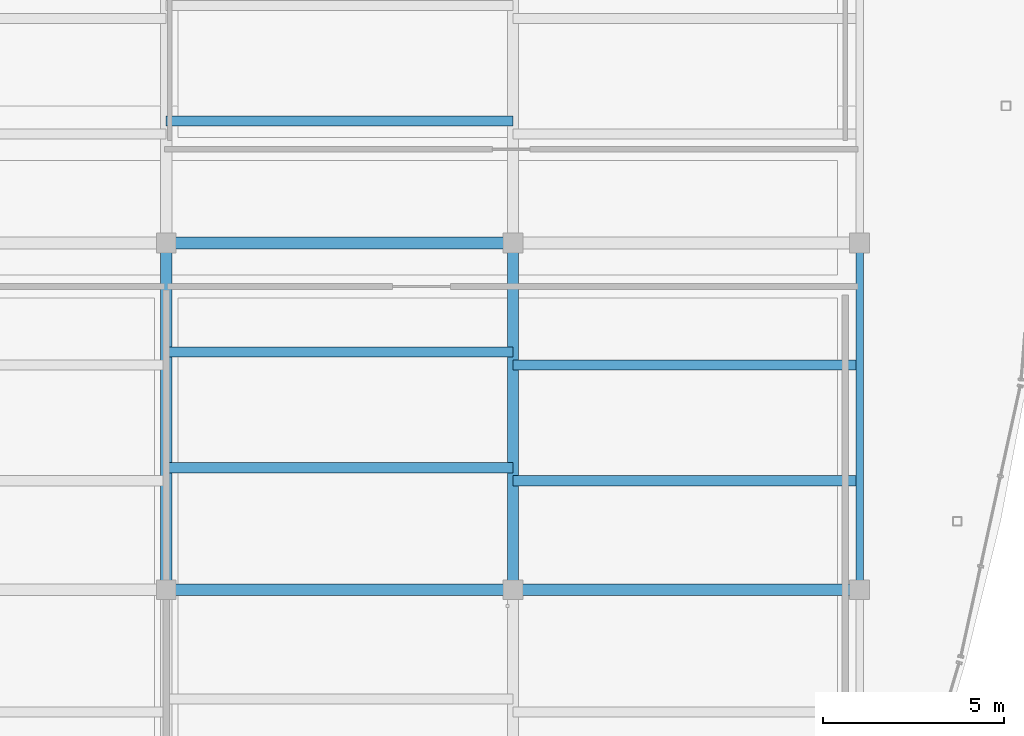
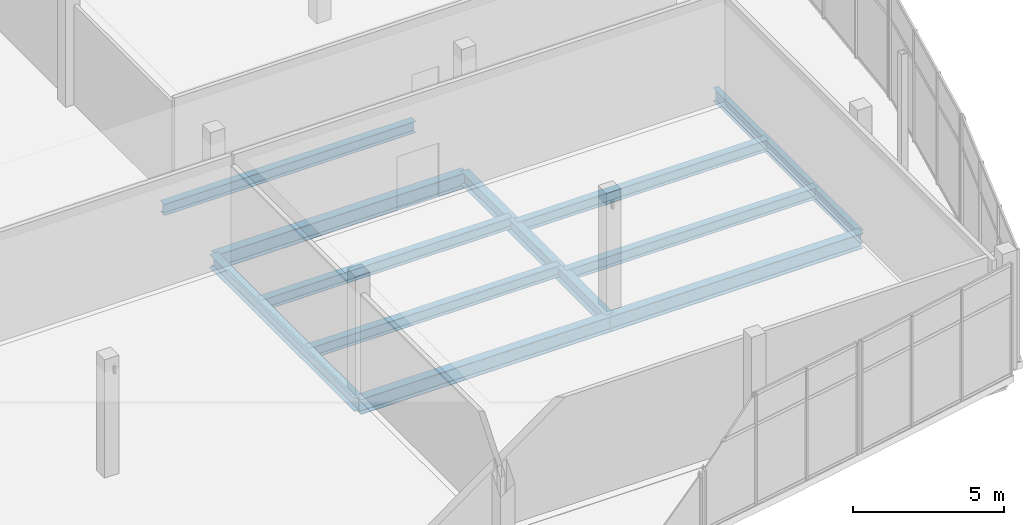
# One storey, part 89 of 157: 11 beams.
"""IFC4 building model written with IfcOpenShell, lengths in metres."""

from ifc_helpers import new_model, si_unit, direction, frame, origin, origin_2d, place, context, subcontext, project, spatial, i_section, extrude, material, material_profile, profile_set, type_object, element, save


model = new_model("IFC4")

# Units and contexts
model_context = context("Model", 3, precision=1e-05, world=origin(), true_north=direction((0.0, 1.0)))
body_context = subcontext(model_context, "Body", "Model", "MODEL_VIEW")
ifc_project = project(units=[si_unit("LENGTHUNIT", "METRE"), si_unit("AREAUNIT", "SQUARE_METRE"), si_unit("VOLUMEUNIT", "CUBIC_METRE"), si_unit("PLANEANGLEUNIT", "RADIAN"), si_unit("MASSUNIT", "GRAM", prefix="KILO")], contexts=[model_context])

# Site, building, storey
site_placement = place(None, origin())
site = spatial("IfcSite", under=ifc_project, at=site_placement, CompositionType="ELEMENT")
building_placement = place(site_placement, origin())
building = spatial("IfcBuilding", under=site, at=building_placement, Name="Chalmorin Arch Market", CompositionType="ELEMENT")
storey_placement = place(building_placement, frame((0.0, 0.0, 4.800048828125)))
storey = spatial("IfcBuildingStorey", under=building, at=storey_placement, Name="L01", CompositionType="ELEMENT", Elevation=4.800048828125)

# Beams
ifc_material = material(Name="Steel A992 Grade 50", Category="steel")
ifc_material_profile_1 = material_profile(ifc_material, i_section(OverallWidth=0.326904296875, OverallDepth=0.6220703125, WebThickness=0.015380859375, FlangeThickness=0.0244140625, FilletRadius=0.02392578125, at=origin_2d()), Name="W24X131")
ifc_profile_set_1 = profile_set([ifc_material_profile_1], Name="Steel A992 Grade 50")
beam_type_1 = type_object("IfcBeamType", Name="HeavyFloorGirder-W24X131", PredefinedType="BEAM", material=ifc_profile_set_1)
for number, where, z_axis, x_axis, name in (
    (1, (96.0, 81.60009765625, -0.633056640625), (1.0, 0.0, 0.0), (0.0, 1.0, 0.0), "BG-W24C-0939"),
    (2, (96.0, 91.199951171875, -0.633056640625), (1.0, 0.0, 0.0), (0.0, 1.0, 0.0), "BG-W24C-0941"),
):
    element("IfcBeam", number, at=place(storey_placement, frame(where, z_axis=z_axis, x_axis=x_axis)), inside=storey, type_object=beam_type_1, Name=name, PredefinedType="BEAM", context=body_context, shape_type="SweptSolid", body=[
        extrude(i_section(OverallWidth=0.326904296875, OverallDepth=0.6220703125, WebThickness=0.015380859375, FlangeThickness=0.0244140625, FilletRadius=0.02392578125, at=origin_2d()), origin(), (0.0, 0.0, 1.0), 9.60009765625),
    ])
beam_1_placement = place(storey_placement, frame((105.60009765625, 81.60009765625, -0.633056640625), z_axis=(1.0, 0.0, 0.0), x_axis=(0.0, 1.0, 0.0)))
element("IfcBeam", 3, at=beam_1_placement, inside=storey, type_object=beam_type_1, Name="BG-W24C-0950", PredefinedType="BEAM", context=body_context, shape_type="SweptSolid", body=[
    extrude(i_section(OverallWidth=0.326904296875, OverallDepth=0.6220703125, WebThickness=0.015380859375, FlangeThickness=0.0244140625, FilletRadius=0.02392578125, at=origin_2d()), origin(), (0.0, 0.0, 1.0), 9.599853515625),
])
ifc_material_profile_2 = material_profile(ifc_material, i_section(OverallWidth=0.31201171875, OverallDepth=0.54296875, WebThickness=0.0126953125, FlangeThickness=0.020263671875, FilletRadius=0.02197265625, at=origin_2d()), Name="W21X101")
ifc_profile_set_2 = profile_set([ifc_material_profile_2], Name="Steel A992 Grade 50")
beam_type_2 = type_object("IfcBeamType", Name="KitchenSteelGirder-W21X101", PredefinedType="BEAM", material=ifc_profile_set_2)
for number, where, z_axis, x_axis, name in (
    (4, (96.0, 81.60009765625, -0.593505859375), (0.0, 1.0, 0.0), (-1.0, 0.0, 0.0), "BG-W21C-0931"),
    (5, (105.60009765625, 81.60009765625, -0.593505859375), (0.0, 1.0, 0.0), (-1.0, 0.0, 0.0), "BG-W21C-0942"),
):
    element("IfcBeam", number, at=place(storey_placement, frame(where, z_axis=z_axis, x_axis=x_axis)), inside=storey, type_object=beam_type_2, Name=name, PredefinedType="BEAM", context=body_context, shape_type="SweptSolid", body=[
        extrude(i_section(OverallWidth=0.31201171875, OverallDepth=0.54296875, WebThickness=0.0126953125, FlangeThickness=0.020263671875, FilletRadius=0.02197265625, at=origin_2d()), origin(), (0.0, 0.0, 1.0), 9.599853515625),
    ])
ifc_material_profile_3 = material_profile(ifc_material, i_section(OverallWidth=0.208984375, OverallDepth=0.532958984375, WebThickness=0.01025390625, FlangeThickness=0.015625, FilletRadius=0.02197265625, at=origin_2d()), Name="W21X62")
ifc_profile_set_3 = profile_set([ifc_material_profile_3], Name="Steel A992 Grade 50")
beam_type_3 = type_object("IfcBeamType", Name="PerimeterSpandrelBeam-W21X62", PredefinedType="SPANDREL", material=ifc_profile_set_3)
beam_2_placement = place(storey_placement, frame((115.199951171875, 81.60009765625, -0.588623046875), z_axis=(0.0, 1.0, 0.0), x_axis=(-1.0, 0.0, 0.0)))
element("IfcBeam", 6, at=beam_2_placement, inside=storey, type_object=beam_type_3, Name="SP-W21-0953", PredefinedType="SPANDREL", context=body_context, shape_type="SweptSolid", body=[
    extrude(i_section(OverallWidth=0.208984375, OverallDepth=0.532958984375, WebThickness=0.01025390625, FlangeThickness=0.015625, FilletRadius=0.02197265625, at=origin_2d()), origin(), (0.0, 0.0, 1.0), 9.599853515625),
])
ifc_material_profile_4 = material_profile(ifc_material, i_section(OverallWidth=0.280029296875, OverallDepth=0.462890625, WebThickness=0.0107421875, FlangeThickness=0.017333984375, FilletRadius=0.02001953125, at=origin_2d()), Name="W18X76")
ifc_profile_set_4 = profile_set([ifc_material_profile_4], Name="Steel A992 Grade 50")
beam_type_4 = type_object("IfcBeamType", Name="WorkshopSteelBeam-W18X76", PredefinedType="BEAM", material=ifc_profile_set_4)
for number, where, z_axis, x_axis, name in (
    (7, (96.0, 84.97998046875, -0.553466796875), (1.0, 0.0, 0.0), (0.0, 1.0, 0.0), "BM-W18C-1006"),
    (8, (96.0, 88.179931640625, -0.553466796875), (1.0, 0.0, 0.0), (0.0, 1.0, 0.0), "BM-W18C-1007"),
    (9, (96.0, 94.580078125, -0.553466796875), (1.0, 0.0, 0.0), (0.0, 1.0, 0.0), "BM-W18C-1008"),
):
    element("IfcBeam", number, at=place(storey_placement, frame(where, z_axis=z_axis, x_axis=x_axis)), inside=storey, type_object=beam_type_4, Name=name, PredefinedType="BEAM", context=body_context, shape_type="SweptSolid", body=[
        extrude(i_section(OverallWidth=0.280029296875, OverallDepth=0.462890625, WebThickness=0.0107421875, FlangeThickness=0.017333984375, FilletRadius=0.02001953125, at=origin_2d()), origin(), (0.0, 0.0, 1.0), 9.60009765625),
    ])
for number, where, z_axis, x_axis, name in (
    (10, (105.60009765625, 84.6201171875, -0.553466796875), (1.0, 0.0, 0.0), (0.0, 1.0, 0.0), "BM-W18C-1016"),
    (11, (105.60009765625, 87.820068359375, -0.553466796875), (1.0, 0.0, 0.0), (0.0, 1.0, 0.0), "BM-W18C-1017"),
):
    element("IfcBeam", number, at=place(storey_placement, frame(where, z_axis=z_axis, x_axis=x_axis)), inside=storey, type_object=beam_type_4, Name=name, PredefinedType="BEAM", context=body_context, shape_type="SweptSolid", body=[
        extrude(i_section(OverallWidth=0.280029296875, OverallDepth=0.462890625, WebThickness=0.0107421875, FlangeThickness=0.017333984375, FilletRadius=0.02001953125, at=origin_2d()), origin(), (0.0, 0.0, 1.0), 9.599853515625),
    ])

save(model, "model.ifc")
